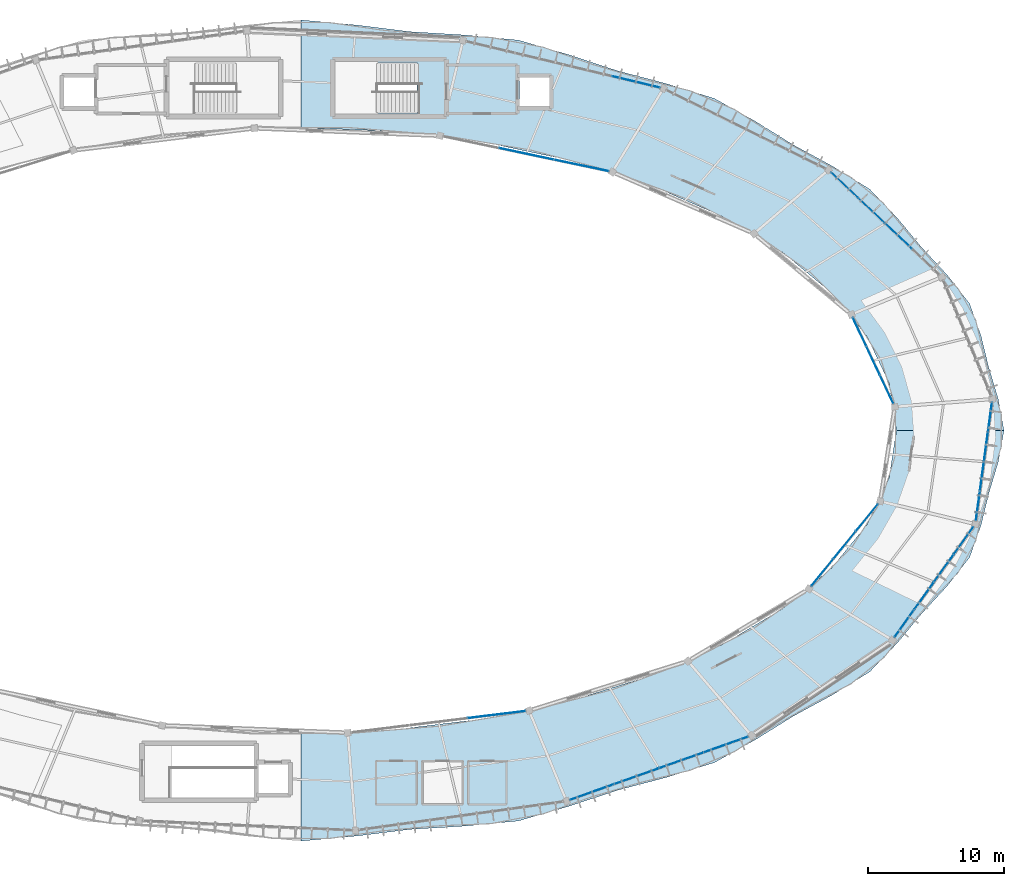
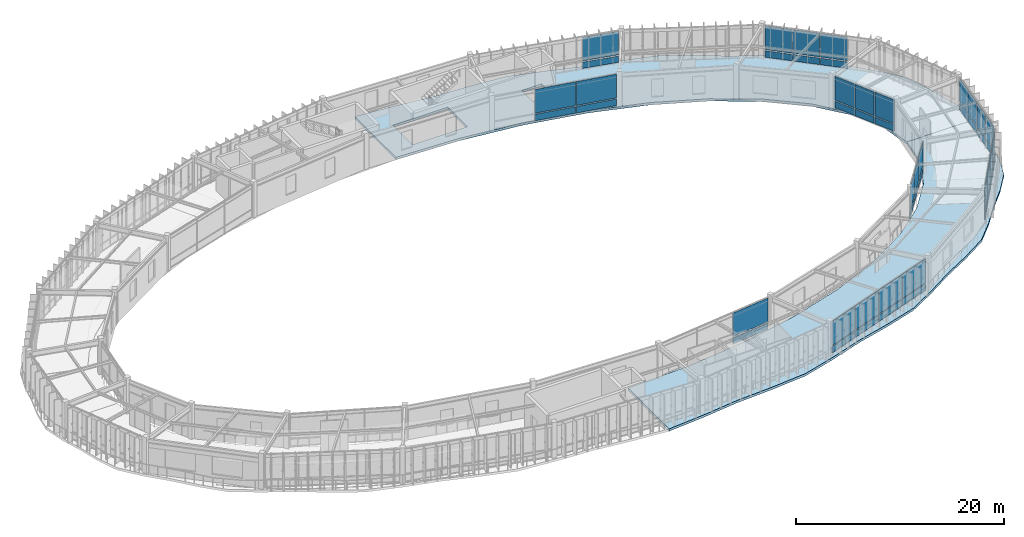
# One storey, part 66 of 78: 50 plates, 2 slabs, 9 elements without a shape of their own.
"""IFC4 building model written with IfcOpenShell, lengths in metres."""

from ifc_helpers import new_model, si_unit, direction, frame, origin, origin_2d, place, context, subcontext, project, spatial, polyline, rectangle, outline, extrude, material, layer, layer_set, type_object, element, aggregate, save


model = new_model("IFC4")

# Units and contexts
model_context = context("Model", 3, precision=1e-05, world=origin(), true_north=direction((0.0, 1.0)))
body_context = subcontext(model_context, "Body", "Model", "MODEL_VIEW")
ifc_project = project(units=[si_unit("LENGTHUNIT", "METRE"), si_unit("AREAUNIT", "SQUARE_METRE"), si_unit("VOLUMEUNIT", "CUBIC_METRE"), si_unit("PLANEANGLEUNIT", "RADIAN"), si_unit("MASSUNIT", "GRAM", prefix="KILO"), si_unit("THERMODYNAMICTEMPERATUREUNIT", "KELVIN"), si_unit("POWERUNIT", "WATT")], contexts=[model_context])

# Site, building, storey
site_placement = place(None, origin())
site = spatial("IfcSite", under=ifc_project, at=site_placement, CompositionType="ELEMENT")
building_placement = place(site_placement, origin())
building = spatial("IfcBuilding", under=site, at=building_placement, Name="Darbajah Civic Hall", CompositionType="ELEMENT")
storey_placement = place(building_placement, frame((0.0, 0.0, 26.39990234375)))
storey = spatial("IfcBuildingStorey", under=building, at=storey_placement, Name="L06", CompositionType="ELEMENT", Elevation=26.39990234375)

# Curtain wall, plates
ifc_material_1 = material(Name="Anodised Bronze Aluminium and Low-E Glazing", Category="aluminium")
curtain_wall_type_1 = type_object("IfcCurtainWallType", Name="Unitised Curtain Wall CW-78 7000x3900", PredefinedType="USERDEFINED", material=ifc_material_1)
curtain_wall_1_placement = place(storey_placement, origin())
curtain_wall_1 = element("IfcCurtainWall", 1, at=curtain_wall_1_placement, inside=storey, type_object=curtain_wall_type_1, Name="L06 unitised curtain wall CW-V1I-L06-00", ObjectType="UNITISED CURTAIN WALL", PredefinedType="USERDEFINED")
ifc_material_2 = material(Name="Low-E Solar Control Double Glazing", Category="glass")
ifc_layer_1 = layer(ifc_material_2, 0.028076171875, Name="Low-E Solar Control Double Glazing")
ifc_layer_set_1 = layer_set([ifc_layer_1], Name="Low-E Solar Control Double Glazing")
plate_type_1 = type_object("IfcPlateType", Name="Solar Double Glazing 28mm", PredefinedType="CURTAIN_PANEL", material=ifc_layer_set_1)
plate_1_placement = place(storey_placement, frame((132.16015625, 92.832275390625, 0.1201171875), z_axis=(0.0, 0.0, 1.0), x_axis=(-0.426568739901, 0.904455145454, 0.0)))
plate_1 = element("IfcPlate", 2, at=plate_1_placement, type_object=plate_type_1, Name="CW-V1I-L06-00 glazed panel 1.1", PredefinedType="CURTAIN_PANEL", context=body_context, shape_type="SweptSolid", body=[
    extrude(rectangle(XDim=2.26220703125, YDim=0.028076171875, at=origin_2d()), origin(), (0.0, 0.0, 1.0), 0.77001953125),
])
plate_2_placement = place(storey_placement, frame((132.16015625, 92.832275390625, 1.010009765625), z_axis=(0.0, 0.0, 1.0), x_axis=(-0.426568739901, 0.904455145454, 0.0)))
plate_2 = element("IfcPlate", 3, at=plate_2_placement, type_object=plate_type_1, Name="CW-V1I-L06-00 glazed panel 1.2", PredefinedType="CURTAIN_PANEL", context=body_context, shape_type="SweptSolid", body=[
    extrude(rectangle(XDim=2.26220703125, YDim=0.028076171875, at=origin_2d()), origin(), (0.0, 0.0, 1.0), 2.7900390625),
])
plate_3_placement = place(storey_placement, frame((131.165283203125, 94.941650390625, 0.1201171875), z_axis=(0.0, 0.0, 1.0), x_axis=(-0.426568739901, 0.904455145454, 0.0)))
plate_3 = element("IfcPlate", 4, at=plate_3_placement, type_object=plate_type_1, Name="CW-V1I-L06-00 glazed panel 2.1", PredefinedType="CURTAIN_PANEL", context=body_context, shape_type="SweptSolid", body=[
    extrude(rectangle(XDim=2.26220703125, YDim=0.028076171875, at=origin_2d()), origin(), (0.0, 0.0, 1.0), 0.77001953125),
])
plate_4_placement = place(storey_placement, frame((131.165283203125, 94.941650390625, 1.010009765625), z_axis=(0.0, 0.0, 1.0), x_axis=(-0.426568739901, 0.904455145454, 0.0)))
plate_4 = element("IfcPlate", 5, at=plate_4_placement, type_object=plate_type_1, Name="CW-V1I-L06-00 glazed panel 2.2", PredefinedType="CURTAIN_PANEL", context=body_context, shape_type="SweptSolid", body=[
    extrude(rectangle(XDim=2.26220703125, YDim=0.028076171875, at=origin_2d()), origin(), (0.0, 0.0, 1.0), 2.7900390625),
])
plate_5_placement = place(storey_placement, frame((130.170654296875, 97.05126953125, 0.1201171875), z_axis=(0.0, 0.0, 1.0), x_axis=(-0.426568739901, 0.904455145454, 0.0)))
plate_5 = element("IfcPlate", 6, at=plate_5_placement, type_object=plate_type_1, Name="CW-V1I-L06-00 glazed panel 3.1", PredefinedType="CURTAIN_PANEL", context=body_context, shape_type="SweptSolid", body=[
    extrude(rectangle(XDim=2.26220703125, YDim=0.028076171875, at=origin_2d()), origin(), (0.0, 0.0, 1.0), 0.77001953125),
])
plate_6_placement = place(storey_placement, frame((130.170654296875, 97.05126953125, 1.010009765625), z_axis=(0.0, 0.0, 1.0), x_axis=(-0.426568739901, 0.904455145454, 0.0)))
plate_6 = element("IfcPlate", 7, at=plate_6_placement, type_object=plate_type_1, Name="CW-V1I-L06-00 glazed panel 3.2", PredefinedType="CURTAIN_PANEL", context=body_context, shape_type="SweptSolid", body=[
    extrude(rectangle(XDim=2.26220703125, YDim=0.028076171875, at=origin_2d()), origin(), (0.0, 0.0, 1.0), 2.7900390625),
])
aggregate(curtain_wall_1, [plate_1, plate_2, plate_3, plate_4, plate_5, plate_6])

curtain_wall_type_2 = type_object("IfcCurtainWallType", Name="Unitised Curtain Wall CW-86 11000x3900", PredefinedType="USERDEFINED", material=ifc_material_1)
curtain_wall_2_placement = place(storey_placement, origin())
curtain_wall_2 = element("IfcCurtainWall", 8, at=curtain_wall_2_placement, inside=storey, type_object=curtain_wall_type_2, Name="L06 unitised curtain wall CW-V1O-L06-01", ObjectType="UNITISED CURTAIN WALL", PredefinedType="USERDEFINED")
plate_7_placement = place(storey_placement, frame((133.045654296875, 104.08349609375, 0.1201171875), z_axis=(0.0, 0.0, 1.0), x_axis=(-0.727173991201, 0.686453193248, 0.0)))
plate_7 = element("IfcPlate", 9, at=plate_7_placement, type_object=plate_type_1, Name="CW-V1O-L06-01 glazed panel 2.1", PredefinedType="CURTAIN_PANEL", context=body_context, shape_type="SweptSolid", body=[
    extrude(rectangle(XDim=2.670166015625, YDim=0.028076171875, at=origin_2d()), origin(), (0.0, 0.0, 1.0), 0.77001953125),
])
plate_8_placement = place(storey_placement, frame((133.045654296875, 104.08349609375, 1.010009765625), z_axis=(0.0, 0.0, 1.0), x_axis=(-0.727173991201, 0.686453193248, 0.0)))
plate_8 = element("IfcPlate", 10, at=plate_8_placement, type_object=plate_type_1, Name="CW-V1O-L06-01 glazed panel 2.2", PredefinedType="CURTAIN_PANEL", context=body_context, shape_type="SweptSolid", body=[
    extrude(rectangle(XDim=2.670166015625, YDim=0.028076171875, at=origin_2d()), origin(), (0.0, 0.0, 1.0), 2.7900390625),
])
plate_9_placement = place(storey_placement, frame((131.052978515625, 105.96435546875, 0.1201171875), z_axis=(0.0, 0.0, 1.0), x_axis=(-0.727173991201, 0.686453193248, 0.0)))
plate_9 = element("IfcPlate", 11, at=plate_9_placement, type_object=plate_type_1, Name="CW-V1O-L06-01 glazed panel 3.1", PredefinedType="CURTAIN_PANEL", context=body_context, shape_type="SweptSolid", body=[
    extrude(rectangle(XDim=2.670166015625, YDim=0.028076171875, at=origin_2d()), origin(), (0.0, 0.0, 1.0), 0.77001953125),
])
plate_10_placement = place(storey_placement, frame((131.052978515625, 105.96435546875, 1.010009765625), z_axis=(0.0, 0.0, 1.0), x_axis=(-0.727173991201, 0.686453193248, 0.0)))
plate_10 = element("IfcPlate", 12, at=plate_10_placement, type_object=plate_type_1, Name="CW-V1O-L06-01 glazed panel 3.2", PredefinedType="CURTAIN_PANEL", context=body_context, shape_type="SweptSolid", body=[
    extrude(rectangle(XDim=2.670166015625, YDim=0.028076171875, at=origin_2d()), origin(), (0.0, 0.0, 1.0), 2.7900390625),
])
plate_11_placement = place(storey_placement, frame((129.060302734375, 107.84521484375, 0.1201171875), z_axis=(0.0, 0.0, 1.0), x_axis=(-0.727173991201, 0.686453193248, 0.0)))
plate_11 = element("IfcPlate", 13, at=plate_11_placement, type_object=plate_type_1, Name="CW-V1O-L06-01 glazed panel 4.1", PredefinedType="CURTAIN_PANEL", context=body_context, shape_type="SweptSolid", body=[
    extrude(rectangle(XDim=2.670166015625, YDim=0.028076171875, at=origin_2d()), origin(), (0.0, 0.0, 1.0), 0.77001953125),
])
plate_12_placement = place(storey_placement, frame((129.060302734375, 107.84521484375, 1.010009765625), z_axis=(0.0, 0.0, 1.0), x_axis=(-0.727173991201, 0.686453193248, 0.0)))
plate_12 = element("IfcPlate", 14, at=plate_12_placement, type_object=plate_type_1, Name="CW-V1O-L06-01 glazed panel 4.2", PredefinedType="CURTAIN_PANEL", context=body_context, shape_type="SweptSolid", body=[
    extrude(rectangle(XDim=2.670166015625, YDim=0.028076171875, at=origin_2d()), origin(), (0.0, 0.0, 1.0), 2.7900390625),
])
aggregate(curtain_wall_2, [plate_7, plate_8, plate_9, plate_10, plate_11, plate_12])

curtain_wall_type_3 = type_object("IfcCurtainWallType", Name="Unitised Curtain Wall CW-65 12400x3900", PredefinedType="USERDEFINED", material=ifc_material_1)
curtain_wall_3_placement = place(storey_placement, origin())
curtain_wall_3 = element("IfcCurtainWall", 15, at=curtain_wall_3_placement, inside=storey, type_object=curtain_wall_type_3, Name="L06 unitised curtain wall CW-V1I-L06-03", ObjectType="UNITISED CURTAIN WALL", PredefinedType="USERDEFINED")
plate_13_placement = place(storey_placement, frame((109.7109375, 109.29345703125, 0.1201171875), z_axis=(0.0, 0.0, 1.0), x_axis=(-0.978472980779, 0.206374964291, 0.0)))
plate_13 = element("IfcPlate", 16, at=plate_13_placement, type_object=plate_type_1, Name="CW-V1I-L06-03 glazed panel 1.1", PredefinedType="CURTAIN_PANEL", context=body_context, shape_type="SweptSolid", body=[
    extrude(rectangle(XDim=4.074951171875, YDim=0.028076171875, at=origin_2d()), origin(), (0.0, 0.0, 1.0), 0.77001953125),
])
plate_14_placement = place(storey_placement, frame((109.7109375, 109.29345703125, 1.010009765625), z_axis=(0.0, 0.0, 1.0), x_axis=(-0.978472980779, 0.206374964291, 0.0)))
plate_14 = element("IfcPlate", 17, at=plate_14_placement, type_object=plate_type_1, Name="CW-V1I-L06-03 glazed panel 1.2", PredefinedType="CURTAIN_PANEL", context=body_context, shape_type="SweptSolid", body=[
    extrude(rectangle(XDim=4.074951171875, YDim=0.028076171875, at=origin_2d()), origin(), (0.0, 0.0, 1.0), 2.7900390625),
])
plate_15_placement = place(storey_placement, frame((105.655029296875, 110.148681640625, 0.1201171875), z_axis=(0.0, 0.0, 1.0), x_axis=(-0.978472980779, 0.206374964291, 0.0)))
plate_15 = element("IfcPlate", 18, at=plate_15_placement, type_object=plate_type_1, Name="CW-V1I-L06-03 glazed panel 2.1", PredefinedType="CURTAIN_PANEL", context=body_context, shape_type="SweptSolid", body=[
    extrude(rectangle(XDim=4.074951171875, YDim=0.028076171875, at=origin_2d()), origin(), (0.0, 0.0, 1.0), 0.77001953125),
])
plate_16_placement = place(storey_placement, frame((105.655029296875, 110.148681640625, 1.010009765625), z_axis=(0.0, 0.0, 1.0), x_axis=(-0.978472980779, 0.206374964291, 0.0)))
plate_16 = element("IfcPlate", 19, at=plate_16_placement, type_object=plate_type_1, Name="CW-V1I-L06-03 glazed panel 2.2", PredefinedType="CURTAIN_PANEL", context=body_context, shape_type="SweptSolid", body=[
    extrude(rectangle(XDim=4.074951171875, YDim=0.028076171875, at=origin_2d()), origin(), (0.0, 0.0, 1.0), 2.7900390625),
])
aggregate(curtain_wall_3, [plate_13, plate_14, plate_15, plate_16])

curtain_wall_type_4 = type_object("IfcCurtainWallType", Name="Unitised Curtain Wall CW-73 12900x3900", PredefinedType="USERDEFINED", material=ifc_material_1)
curtain_wall_4_placement = place(storey_placement, origin())
curtain_wall_4 = element("IfcCurtainWall", 20, at=curtain_wall_4_placement, inside=storey, type_object=curtain_wall_type_4, Name="L06 unitised curtain wall CW-V1I-L06-15", ObjectType="UNITISED CURTAIN WALL", PredefinedType="USERDEFINED")
plate_17_placement = place(storey_placement, frame((103.47412109375, 68.90576171875, 0.1201171875), z_axis=(0.0, 0.0, 1.0), x_axis=(0.992609826221, 0.121349630774, 0.0)))
plate_17 = element("IfcPlate", 21, at=plate_17_placement, type_object=plate_type_1, Name="CW-V1I-L06-15 glazed panel 3.1", PredefinedType="CURTAIN_PANEL", context=body_context, shape_type="SweptSolid", body=[
    extrude(rectangle(XDim=4.23681640625, YDim=0.028076171875, at=origin_2d()), origin(), (0.0, 0.0, 1.0), 0.77001953125),
])
plate_18_placement = place(storey_placement, frame((103.47412109375, 68.90576171875, 1.010009765625), z_axis=(0.0, 0.0, 1.0), x_axis=(0.992609826221, 0.121349630774, 0.0)))
plate_18 = element("IfcPlate", 22, at=plate_18_placement, type_object=plate_type_1, Name="CW-V1I-L06-15 glazed panel 3.2", PredefinedType="CURTAIN_PANEL", context=body_context, shape_type="SweptSolid", body=[
    extrude(rectangle(XDim=4.23681640625, YDim=0.028076171875, at=origin_2d()), origin(), (0.0, 0.0, 1.0), 2.7900390625),
])
aggregate(curtain_wall_4, [plate_17, plate_18])

curtain_wall_type_5 = type_object("IfcCurtainWallType", Name="Unitised Curtain Wall CW-85 13900x3900", PredefinedType="USERDEFINED", material=ifc_material_1)
curtain_wall_5_placement = place(storey_placement, origin())
curtain_wall_5 = element("IfcCurtainWall", 23, at=curtain_wall_5_placement, inside=storey, type_object=curtain_wall_type_5, Name="L06 unitised curtain wall CW-V1O-L06-16", ObjectType="UNITISED CURTAIN WALL", PredefinedType="USERDEFINED")
plate_19_placement = place(storey_placement, frame((110.49560546875, 63.211669921875, 0.1201171875), z_axis=(0.0, 0.0, 1.0), x_axis=(0.94252491309, 0.334135882844, 0.0)))
plate_19 = element("IfcPlate", 24, at=plate_19_placement, type_object=plate_type_1, Name="CW-V1O-L06-16 glazed panel 1.1", PredefinedType="CURTAIN_PANEL", context=body_context, shape_type="SweptSolid", body=[
    extrude(rectangle(XDim=3.41259765625, YDim=0.028076171875, at=origin_2d()), origin(), (0.0, 0.0, 1.0), 0.77001953125),
])
plate_20_placement = place(storey_placement, frame((110.49560546875, 63.211669921875, 1.010009765625), z_axis=(0.0, 0.0, 1.0), x_axis=(0.94252491309, 0.334135882844, 0.0)))
plate_20 = element("IfcPlate", 25, at=plate_20_placement, type_object=plate_type_1, Name="CW-V1O-L06-16 glazed panel 1.2", PredefinedType="CURTAIN_PANEL", context=body_context, shape_type="SweptSolid", body=[
    extrude(rectangle(XDim=3.41259765625, YDim=0.028076171875, at=origin_2d()), origin(), (0.0, 0.0, 1.0), 2.7900390625),
])
plate_21_placement = place(storey_placement, frame((113.778076171875, 64.375, 0.1201171875), z_axis=(0.0, 0.0, 1.0), x_axis=(0.94252491309, 0.334135882844, 0.0)))
plate_21 = element("IfcPlate", 26, at=plate_21_placement, type_object=plate_type_1, Name="CW-V1O-L06-16 glazed panel 2.1", PredefinedType="CURTAIN_PANEL", context=body_context, shape_type="SweptSolid", body=[
    extrude(rectangle(XDim=3.41259765625, YDim=0.028076171875, at=origin_2d()), origin(), (0.0, 0.0, 1.0), 0.77001953125),
])
plate_22_placement = place(storey_placement, frame((113.778076171875, 64.375, 1.010009765625), z_axis=(0.0, 0.0, 1.0), x_axis=(0.94252491309, 0.334135882844, 0.0)))
plate_22 = element("IfcPlate", 27, at=plate_22_placement, type_object=plate_type_1, Name="CW-V1O-L06-16 glazed panel 2.2", PredefinedType="CURTAIN_PANEL", context=body_context, shape_type="SweptSolid", body=[
    extrude(rectangle(XDim=3.41259765625, YDim=0.028076171875, at=origin_2d()), origin(), (0.0, 0.0, 1.0), 2.7900390625),
])
plate_23_placement = place(storey_placement, frame((117.060546875, 65.53857421875, 0.1201171875), z_axis=(0.0, 0.0, 1.0), x_axis=(0.94252491309, 0.334135882844, 0.0)))
plate_23 = element("IfcPlate", 28, at=plate_23_placement, type_object=plate_type_1, Name="CW-V1O-L06-16 glazed panel 3.1", PredefinedType="CURTAIN_PANEL", context=body_context, shape_type="SweptSolid", body=[
    extrude(rectangle(XDim=3.41259765625, YDim=0.028076171875, at=origin_2d()), origin(), (0.0, 0.0, 1.0), 0.77001953125),
])
plate_24_placement = place(storey_placement, frame((117.060546875, 65.53857421875, 1.010009765625), z_axis=(0.0, 0.0, 1.0), x_axis=(0.94252491309, 0.334135882844, 0.0)))
plate_24 = element("IfcPlate", 29, at=plate_24_placement, type_object=plate_type_1, Name="CW-V1O-L06-16 glazed panel 3.2", PredefinedType="CURTAIN_PANEL", context=body_context, shape_type="SweptSolid", body=[
    extrude(rectangle(XDim=3.41259765625, YDim=0.028076171875, at=origin_2d()), origin(), (0.0, 0.0, 1.0), 2.7900390625),
])
plate_25_placement = place(storey_placement, frame((120.34326171875, 66.701904296875, 0.1201171875), z_axis=(0.0, 0.0, 1.0), x_axis=(0.94252491309, 0.334135882844, 0.0)))
plate_25 = element("IfcPlate", 30, at=plate_25_placement, type_object=plate_type_1, Name="CW-V1O-L06-16 glazed panel 4.1", PredefinedType="CURTAIN_PANEL", context=body_context, shape_type="SweptSolid", body=[
    extrude(rectangle(XDim=3.41259765625, YDim=0.028076171875, at=origin_2d()), origin(), (0.0, 0.0, 1.0), 0.77001953125),
])
plate_26_placement = place(storey_placement, frame((120.34326171875, 66.701904296875, 1.010009765625), z_axis=(0.0, 0.0, 1.0), x_axis=(0.94252491309, 0.334135882844, 0.0)))
plate_26 = element("IfcPlate", 31, at=plate_26_placement, type_object=plate_type_1, Name="CW-V1O-L06-16 glazed panel 4.2", PredefinedType="CURTAIN_PANEL", context=body_context, shape_type="SweptSolid", body=[
    extrude(rectangle(XDim=3.41259765625, YDim=0.028076171875, at=origin_2d()), origin(), (0.0, 0.0, 1.0), 2.7900390625),
])
aggregate(curtain_wall_5, [plate_19, plate_20, plate_21, plate_22, plate_23, plate_24, plate_25, plate_26])

curtain_wall_type_6 = type_object("IfcCurtainWallType", Name="Unitised Curtain Wall CW-75 7800x3900", PredefinedType="USERDEFINED", material=ifc_material_1)
curtain_wall_6_placement = place(storey_placement, origin())
curtain_wall_6 = element("IfcCurtainWall", 32, at=curtain_wall_6_placement, inside=storey, type_object=curtain_wall_type_6, Name="L06 unitised curtain wall CW-V1I-L06-18", ObjectType="UNITISED CURTAIN WALL", PredefinedType="USERDEFINED")
plate_27_placement = place(storey_placement, frame((127.42578125, 79.352783203125, 0.1201171875), z_axis=(0.0, 0.0, 1.0), x_axis=(0.63108205791, 0.775716079622, 0.0)))
plate_27 = element("IfcPlate", 33, at=plate_27_placement, type_object=plate_type_1, Name="CW-V1I-L06-18 glazed panel 1.1", PredefinedType="CURTAIN_PANEL", context=body_context, shape_type="SweptSolid", body=[
    extrude(rectangle(XDim=2.531982421875, YDim=0.028076171875, at=origin_2d()), origin(), (0.0, 0.0, 1.0), 0.77001953125),
])
plate_28_placement = place(storey_placement, frame((127.42578125, 79.352783203125, 1.010009765625), z_axis=(0.0, 0.0, 1.0), x_axis=(0.63108205791, 0.775716079622, 0.0)))
plate_28 = element("IfcPlate", 34, at=plate_28_placement, type_object=plate_type_1, Name="CW-V1I-L06-18 glazed panel 1.2", PredefinedType="CURTAIN_PANEL", context=body_context, shape_type="SweptSolid", body=[
    extrude(rectangle(XDim=2.531982421875, YDim=0.028076171875, at=origin_2d()), origin(), (0.0, 0.0, 1.0), 2.7900390625),
])
plate_29_placement = place(storey_placement, frame((129.067626953125, 81.371337890625, 0.1201171875), z_axis=(0.0, 0.0, 1.0), x_axis=(0.63108205791, 0.775716079622, 0.0)))
plate_29 = element("IfcPlate", 35, at=plate_29_placement, type_object=plate_type_1, Name="CW-V1I-L06-18 glazed panel 2.1", PredefinedType="CURTAIN_PANEL", context=body_context, shape_type="SweptSolid", body=[
    extrude(rectangle(XDim=2.531982421875, YDim=0.028076171875, at=origin_2d()), origin(), (0.0, 0.0, 1.0), 0.77001953125),
])
plate_30_placement = place(storey_placement, frame((129.067626953125, 81.371337890625, 1.010009765625), z_axis=(0.0, 0.0, 1.0), x_axis=(0.63108205791, 0.775716079622, 0.0)))
plate_30 = element("IfcPlate", 36, at=plate_30_placement, type_object=plate_type_1, Name="CW-V1I-L06-18 glazed panel 2.2", PredefinedType="CURTAIN_PANEL", context=body_context, shape_type="SweptSolid", body=[
    extrude(rectangle(XDim=2.531982421875, YDim=0.028076171875, at=origin_2d()), origin(), (0.0, 0.0, 1.0), 2.7900390625),
])
plate_31_placement = place(storey_placement, frame((130.709716796875, 83.389404296875, 0.1201171875), z_axis=(0.0, 0.0, 1.0), x_axis=(0.63108205791, 0.775716079622, 0.0)))
plate_31 = element("IfcPlate", 37, at=plate_31_placement, type_object=plate_type_1, Name="CW-V1I-L06-18 glazed panel 3.1", PredefinedType="CURTAIN_PANEL", context=body_context, shape_type="SweptSolid", body=[
    extrude(rectangle(XDim=2.531982421875, YDim=0.028076171875, at=origin_2d()), origin(), (0.0, 0.0, 1.0), 0.77001953125),
])
plate_32_placement = place(storey_placement, frame((130.709716796875, 83.389404296875, 1.010009765625), z_axis=(0.0, 0.0, 1.0), x_axis=(0.63108205791, 0.775716079622, 0.0)))
plate_32 = element("IfcPlate", 38, at=plate_32_placement, type_object=plate_type_1, Name="CW-V1I-L06-18 glazed panel 3.2", PredefinedType="CURTAIN_PANEL", context=body_context, shape_type="SweptSolid", body=[
    extrude(rectangle(XDim=2.531982421875, YDim=0.028076171875, at=origin_2d()), origin(), (0.0, 0.0, 1.0), 2.7900390625),
])
aggregate(curtain_wall_6, [plate_27, plate_28, plate_29, plate_30, plate_31, plate_32])

curtain_wall_type_7 = type_object("IfcCurtainWallType", Name="Unitised Curtain Wall CW-93 8800x3900", PredefinedType="USERDEFINED", material=ifc_material_1)
curtain_wall_7_placement = place(storey_placement, origin())
curtain_wall_7 = element("IfcCurtainWall", 39, at=curtain_wall_7_placement, inside=storey, type_object=curtain_wall_type_7, Name="L06 unitised curtain wall CW-V1O-L06-19", ObjectType="UNITISED CURTAIN WALL", PredefinedType="USERDEFINED")
plate_33_placement = place(storey_placement, frame((138.872802734375, 84.250732421875, 0.1201171875), z_axis=(0.0, 0.0, 1.0), x_axis=(0.134850930274, 0.990865897387, 0.0)))
plate_33 = element("IfcPlate", 40, at=plate_33_placement, type_object=plate_type_1, Name="CW-V1O-L06-19 glazed panel 1.1", PredefinedType="CURTAIN_PANEL", context=body_context, shape_type="SweptSolid", body=[
    extrude(rectangle(XDim=2.12548828125, YDim=0.028076171875, at=origin_2d()), origin(), (0.0, 0.0, 1.0), 0.77001953125),
])
plate_34_placement = place(storey_placement, frame((138.872802734375, 84.250732421875, 1.010009765625), z_axis=(0.0, 0.0, 1.0), x_axis=(0.134850930274, 0.990865897387, 0.0)))
plate_34 = element("IfcPlate", 41, at=plate_34_placement, type_object=plate_type_1, Name="CW-V1O-L06-19 glazed panel 1.2", PredefinedType="CURTAIN_PANEL", context=body_context, shape_type="SweptSolid", body=[
    extrude(rectangle(XDim=2.12548828125, YDim=0.028076171875, at=origin_2d()), origin(), (0.0, 0.0, 1.0), 2.7900390625),
])
plate_35_placement = place(storey_placement, frame((139.168701171875, 86.42626953125, 0.1201171875), z_axis=(0.0, 0.0, 1.0), x_axis=(0.134850930274, 0.990865897387, 0.0)))
plate_35 = element("IfcPlate", 42, at=plate_35_placement, type_object=plate_type_1, Name="CW-V1O-L06-19 glazed panel 2.1", PredefinedType="CURTAIN_PANEL", context=body_context, shape_type="SweptSolid", body=[
    extrude(rectangle(XDim=2.12548828125, YDim=0.028076171875, at=origin_2d()), origin(), (0.0, 0.0, 1.0), 0.77001953125),
])
plate_36_placement = place(storey_placement, frame((139.168701171875, 86.42626953125, 1.010009765625), z_axis=(0.0, 0.0, 1.0), x_axis=(0.134850930274, 0.990865897387, 0.0)))
plate_36 = element("IfcPlate", 43, at=plate_36_placement, type_object=plate_type_1, Name="CW-V1O-L06-19 glazed panel 2.2", PredefinedType="CURTAIN_PANEL", context=body_context, shape_type="SweptSolid", body=[
    extrude(rectangle(XDim=2.12548828125, YDim=0.028076171875, at=origin_2d()), origin(), (0.0, 0.0, 1.0), 2.7900390625),
])
plate_37_placement = place(storey_placement, frame((139.46484375, 88.601806640625, 0.1201171875), z_axis=(0.0, 0.0, 1.0), x_axis=(0.134850930274, 0.990865897387, 0.0)))
plate_37 = element("IfcPlate", 44, at=plate_37_placement, type_object=plate_type_1, Name="CW-V1O-L06-19 glazed panel 3.1", PredefinedType="CURTAIN_PANEL", context=body_context, shape_type="SweptSolid", body=[
    extrude(rectangle(XDim=2.12548828125, YDim=0.028076171875, at=origin_2d()), origin(), (0.0, 0.0, 1.0), 0.77001953125),
])
plate_38_placement = place(storey_placement, frame((139.46484375, 88.601806640625, 1.010009765625), z_axis=(0.0, 0.0, 1.0), x_axis=(0.134850930274, 0.990865897387, 0.0)))
plate_38 = element("IfcPlate", 45, at=plate_38_placement, type_object=plate_type_1, Name="CW-V1O-L06-19 glazed panel 3.2", PredefinedType="CURTAIN_PANEL", context=body_context, shape_type="SweptSolid", body=[
    extrude(rectangle(XDim=2.12548828125, YDim=0.028076171875, at=origin_2d()), origin(), (0.0, 0.0, 1.0), 2.7900390625),
])
plate_39_placement = place(storey_placement, frame((139.7607421875, 90.777099609375, 0.1201171875), z_axis=(0.0, 0.0, 1.0), x_axis=(0.134850930274, 0.990865897387, 0.0)))
plate_39 = element("IfcPlate", 46, at=plate_39_placement, type_object=plate_type_1, Name="CW-V1O-L06-19 glazed panel 4.1", PredefinedType="CURTAIN_PANEL", context=body_context, shape_type="SweptSolid", body=[
    extrude(rectangle(XDim=2.12548828125, YDim=0.028076171875, at=origin_2d()), origin(), (0.0, 0.0, 1.0), 0.77001953125),
])
plate_40_placement = place(storey_placement, frame((139.7607421875, 90.777099609375, 1.010009765625), z_axis=(0.0, 0.0, 1.0), x_axis=(0.134850930274, 0.990865897387, 0.0)))
plate_40 = element("IfcPlate", 47, at=plate_40_placement, type_object=plate_type_1, Name="CW-V1O-L06-19 glazed panel 4.2", PredefinedType="CURTAIN_PANEL", context=body_context, shape_type="SweptSolid", body=[
    extrude(rectangle(XDim=2.12548828125, YDim=0.028076171875, at=origin_2d()), origin(), (0.0, 0.0, 1.0), 2.7900390625),
])
aggregate(curtain_wall_7, [plate_33, plate_34, plate_35, plate_36, plate_37, plate_38, plate_39, plate_40])

curtain_wall_type_8 = type_object("IfcCurtainWallType", Name="Unitised Curtain Wall CW-87 14700x3900", PredefinedType="USERDEFINED", material=ifc_material_1)
curtain_wall_8_placement = place(storey_placement, origin())
curtain_wall_8 = element("IfcCurtainWall", 48, at=curtain_wall_8_placement, inside=storey, type_object=curtain_wall_type_8, Name="L06 unitised curtain wall CW-V1O-L06-03", ObjectType="UNITISED CURTAIN WALL", PredefinedType="USERDEFINED")
ifc_layer_2 = layer(ifc_material_2, 0.031982421875, Name="Low-E Solar Control Double Glazing")
ifc_layer_set_2 = layer_set([ifc_layer_2], Name="Low-E Solar Control Double Glazing")
plate_type_2 = type_object("IfcPlateType", Name="Solar Double Glazing 32mm", PredefinedType="CURTAIN_PANEL", material=ifc_layer_set_2)
plate_41_placement = place(storey_placement, frame((113.720703125, 115.4384765625, 0.14013671875), z_axis=(0.0, 0.0, 1.0), x_axis=(-0.972492018808, 0.232936200179, 0.0)))
plate_41 = element("IfcPlate", 49, at=plate_41_placement, type_object=plate_type_2, Name="CW-V1O-L06-03 glazed panel 1.1", PredefinedType="CURTAIN_PANEL", context=body_context, shape_type="SweptSolid", body=[
    extrude(rectangle(XDim=3.588623046875, YDim=0.031982421875, at=origin_2d()), origin(), (0.0, 0.0, 1.0), 0.739990234375),
])
plate_42_placement = place(storey_placement, frame((113.720703125, 115.4384765625, 1.02001953125), z_axis=(0.0, 0.0, 1.0), x_axis=(-0.972492018808, 0.232936200179, 0.0)))
plate_42 = element("IfcPlate", 50, at=plate_42_placement, type_object=plate_type_2, Name="CW-V1O-L06-03 glazed panel 1.2", PredefinedType="CURTAIN_PANEL", context=body_context, shape_type="SweptSolid", body=[
    extrude(rectangle(XDim=3.588623046875, YDim=0.031982421875, at=origin_2d()), origin(), (0.0, 0.0, 1.0), 2.760009765625),
])
aggregate(curtain_wall_8, [plate_41, plate_42])

curtain_wall_type_9 = type_object("IfcCurtainWallType", Name="Unitised Curtain Wall CW-92 10000x3900", PredefinedType="USERDEFINED", material=ifc_material_1)
curtain_wall_9_placement = place(storey_placement, origin())
curtain_wall_9 = element("IfcCurtainWall", 51, at=curtain_wall_9_placement, inside=storey, type_object=curtain_wall_type_9, Name="L06 unitised curtain wall CW-V1O-L06-18", ObjectType="UNITISED CURTAIN WALL", PredefinedType="USERDEFINED")
plate_43_placement = place(storey_placement, frame((133.4580078125, 75.60595703125, 0.14013671875), z_axis=(0.0, 0.0, 1.0), x_axis=(0.582264874145, 0.812999149039, 0.0)))
plate_43 = element("IfcPlate", 52, at=plate_43_placement, type_object=plate_type_2, Name="CW-V1O-L06-18 glazed panel 1.1", PredefinedType="CURTAIN_PANEL", context=body_context, shape_type="SweptSolid", body=[
    extrude(rectangle(XDim=2.4208984375, YDim=0.031982421875, at=origin_2d()), origin(), (0.0, 0.0, 1.0), 0.739990234375),
])
plate_44_placement = place(storey_placement, frame((133.4580078125, 75.60595703125, 1.02001953125), z_axis=(0.0, 0.0, 1.0), x_axis=(0.582264874145, 0.812999149039, 0.0)))
plate_44 = element("IfcPlate", 53, at=plate_44_placement, type_object=plate_type_2, Name="CW-V1O-L06-18 glazed panel 1.2", PredefinedType="CURTAIN_PANEL", context=body_context, shape_type="SweptSolid", body=[
    extrude(rectangle(XDim=2.4208984375, YDim=0.031982421875, at=origin_2d()), origin(), (0.0, 0.0, 1.0), 2.760009765625),
])
plate_45_placement = place(storey_placement, frame((134.9111328125, 77.63525390625, 0.14013671875), z_axis=(0.0, 0.0, 1.0), x_axis=(0.582264874145, 0.812999149039, 0.0)))
plate_45 = element("IfcPlate", 54, at=plate_45_placement, type_object=plate_type_2, Name="CW-V1O-L06-18 glazed panel 2.1", PredefinedType="CURTAIN_PANEL", context=body_context, shape_type="SweptSolid", body=[
    extrude(rectangle(XDim=2.4208984375, YDim=0.031982421875, at=origin_2d()), origin(), (0.0, 0.0, 1.0), 0.739990234375),
])
plate_46_placement = place(storey_placement, frame((134.9111328125, 77.63525390625, 1.02001953125), z_axis=(0.0, 0.0, 1.0), x_axis=(0.582264874145, 0.812999149039, 0.0)))
plate_46 = element("IfcPlate", 55, at=plate_46_placement, type_object=plate_type_2, Name="CW-V1O-L06-18 glazed panel 2.2", PredefinedType="CURTAIN_PANEL", context=body_context, shape_type="SweptSolid", body=[
    extrude(rectangle(XDim=2.4208984375, YDim=0.031982421875, at=origin_2d()), origin(), (0.0, 0.0, 1.0), 2.760009765625),
])
plate_47_placement = place(storey_placement, frame((136.364501953125, 79.66455078125, 0.14013671875), z_axis=(0.0, 0.0, 1.0), x_axis=(0.582264874145, 0.812999149039, 0.0)))
plate_47 = element("IfcPlate", 56, at=plate_47_placement, type_object=plate_type_2, Name="CW-V1O-L06-18 glazed panel 3.1", PredefinedType="CURTAIN_PANEL", context=body_context, shape_type="SweptSolid", body=[
    extrude(rectangle(XDim=2.4208984375, YDim=0.031982421875, at=origin_2d()), origin(), (0.0, 0.0, 1.0), 0.739990234375),
])
plate_48_placement = place(storey_placement, frame((136.364501953125, 79.66455078125, 1.02001953125), z_axis=(0.0, 0.0, 1.0), x_axis=(0.582264874145, 0.812999149039, 0.0)))
plate_48 = element("IfcPlate", 57, at=plate_48_placement, type_object=plate_type_2, Name="CW-V1O-L06-18 glazed panel 3.2", PredefinedType="CURTAIN_PANEL", context=body_context, shape_type="SweptSolid", body=[
    extrude(rectangle(XDim=2.4208984375, YDim=0.031982421875, at=origin_2d()), origin(), (0.0, 0.0, 1.0), 2.760009765625),
])
plate_49_placement = place(storey_placement, frame((137.817626953125, 81.69384765625, 0.14013671875), z_axis=(0.0, 0.0, 1.0), x_axis=(0.582264874145, 0.812999149039, 0.0)))
plate_49 = element("IfcPlate", 58, at=plate_49_placement, type_object=plate_type_2, Name="CW-V1O-L06-18 glazed panel 4.1", PredefinedType="CURTAIN_PANEL", context=body_context, shape_type="SweptSolid", body=[
    extrude(rectangle(XDim=2.4208984375, YDim=0.031982421875, at=origin_2d()), origin(), (0.0, 0.0, 1.0), 0.739990234375),
])
plate_50_placement = place(storey_placement, frame((137.817626953125, 81.69384765625, 1.02001953125), z_axis=(0.0, 0.0, 1.0), x_axis=(0.582264874145, 0.812999149039, 0.0)))
plate_50 = element("IfcPlate", 59, at=plate_50_placement, type_object=plate_type_2, Name="CW-V1O-L06-18 glazed panel 4.2", PredefinedType="CURTAIN_PANEL", context=body_context, shape_type="SweptSolid", body=[
    extrude(rectangle(XDim=2.4208984375, YDim=0.031982421875, at=origin_2d()), origin(), (0.0, 0.0, 1.0), 2.760009765625),
])
aggregate(curtain_wall_9, [plate_43, plate_44, plate_45, plate_46, plate_47, plate_48, plate_49, plate_50])

# Slabs
ifc_material_3 = material(Name="Concrete C45/55", Category="concrete")
ifc_layer_3 = layer(ifc_material_3, 0.280029296875, Name="Concrete C45/55")
ifc_layer_set_3 = layer_set([ifc_layer_3], Name="Concrete C45/55")
slab_type = type_object("IfcSlabType", Name="Structural Floor Slab 280mm", PredefinedType="FLOOR", material=ifc_layer_set_3)
slab_1_placement = place(storey_placement, frame((0.0, 0.0, -0.27978515625)))
element("IfcSlab", 60, at=slab_1_placement, inside=storey, type_object=slab_type, Name="L06 Oval Administration Ring NE floor slab", PredefinedType="FLOOR", context=body_context, shape_type="SweptSolid", body=[
    extrude(outline(polyline([(140.79296875, 89.800048828125), (140.361572265625, 92.1474609375), (139.669677734375, 94.446044921875), (139.099365234375, 96.78466796875), (138.262939453125, 99.130126953125), (136.60595703125, 101.25), (134.719482421875, 103.283447265625), (132.94287109375, 105.43310546875), (130.92041015625, 107.547119140625), (128.2001953125, 109.2314453125), (125.303955078125, 110.801025390625), (122.49462890625, 112.55126953125), (119.484375, 114.226806640625), (115.966796875, 115.31103515625), (112.34423828125, 116.262939453125), (108.777587890625, 117.4423828125), (105.073974609375, 118.51513671875), (101.103759765625, 118.893310546875), (97.109375, 119.13427734375), (93.134521484375, 119.627685546875), (89.10009765625, 119.992919921875), (89.10009765625, 112.080078125), (95.94873046875, 111.8056640625), (102.62890625, 110.989501953125), (108.9755859375, 109.651611328125), (114.833251953125, 107.824951171875), (120.05712890625, 105.55419921875), (124.518798828125, 102.89599609375), (128.1083984375, 99.914794921875), (130.7373046875, 96.684814453125), (132.341064453125, 93.285400390625), (132.8798828125, 89.800048828125), (140.79296875, 89.800048828125)]), holes=[polyline([(91.5400390625, 116.8798828125), (97.6201171875, 116.8798828125), (97.6201171875, 113.1201171875), (91.5400390625, 113.1201171875), (91.5400390625, 116.8798828125)]), polyline([(105.14990234375, 115.75), (107.35009765625, 115.75), (107.35009765625, 113.64990234375), (105.14990234375, 113.64990234375), (105.14990234375, 115.75)])]), origin(), (0.0, 0.0, 1.0), 0.27978515625),
])
slab_2_placement = place(storey_placement, frame((0.0, 0.0, -0.27978515625)))
element("IfcSlab", 61, at=slab_2_placement, inside=storey, type_object=slab_type, Name="L06 Oval Administration Ring SE floor slab", PredefinedType="FLOOR", context=body_context, shape_type="SweptSolid", body=[
    extrude(outline(polyline([(89.10009765625, 59.60693359375), (93.134521484375, 59.97216796875), (97.109375, 60.4658203125), (101.103759765625, 60.706787109375), (105.073974609375, 61.084716796875), (108.777587890625, 62.157470703125), (112.34423828125, 63.337158203125), (115.966796875, 64.2890625), (119.484375, 65.373291015625), (122.49462890625, 67.048583984375), (125.303955078125, 68.798828125), (128.2001953125, 70.368408203125), (130.92041015625, 72.052978515625), (132.94287109375, 74.166748046875), (134.719482421875, 76.31640625), (136.60595703125, 78.35009765625), (138.262939453125, 80.4697265625), (139.099365234375, 82.815185546875), (139.669677734375, 85.15380859375), (140.361572265625, 87.452392578125), (140.79296875, 89.800048828125), (132.8798828125, 89.800048828125), (132.341064453125, 86.314697265625), (130.7373046875, 82.9150390625), (128.1083984375, 79.68505859375), (124.518798828125, 76.7041015625), (120.05712890625, 74.045654296875), (114.833251953125, 71.775146484375), (108.9755859375, 69.948486328125), (102.62890625, 68.610595703125), (95.94873046875, 67.794189453125), (89.10009765625, 67.52001953125), (89.10009765625, 59.60693359375)])), origin(), (0.0, 0.0, 1.0), 0.27978515625),
])

save(model, "model.ifc")
